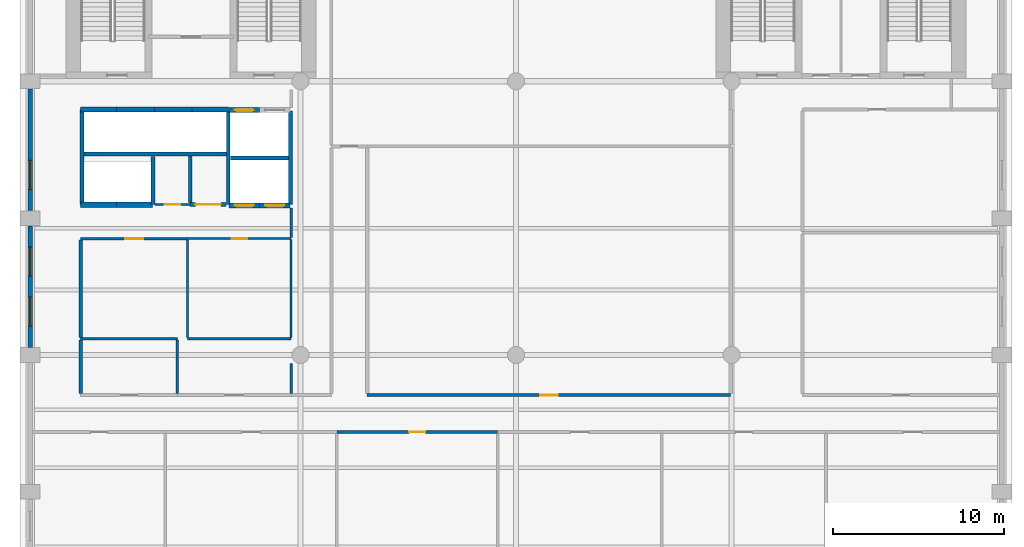
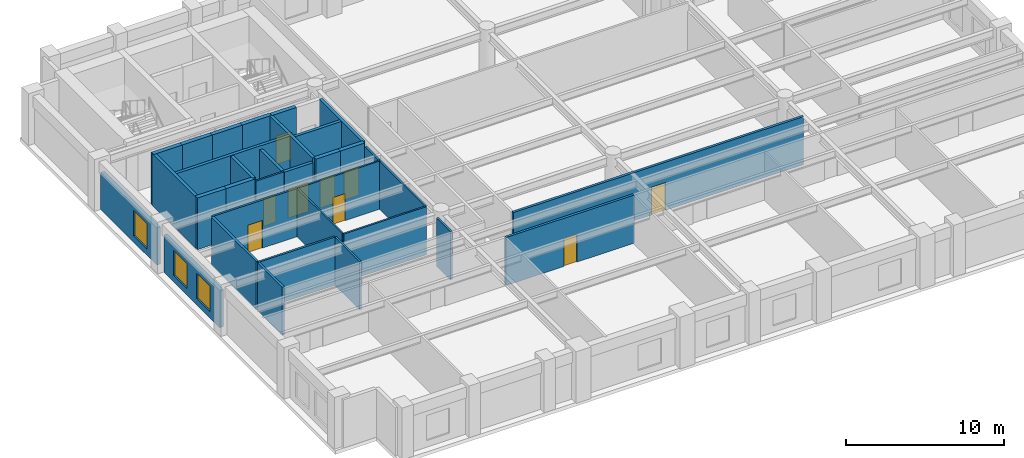
# One storey, part 3 of 8: 33 walls, 9 doors, 3 windows, 12 openings.
"""IFC4 building model written with IfcOpenShell, lengths in metres."""

import ifcopenshell
import ifcopenshell.guid

model = None  # the IFC model being written
_history = None  # IfcOwnerHistory: only IFC2X3 demands one
_inside = {}  # id of a spatial element -> (the spatial element, [elements in it])
_under = {}  # id of a project, library or spatial element -> (it, [spatial elements below it])
_declared = {}  # id of a project -> (the project, [libraries it declares])
_typed = {}  # id of a type object -> (the type object, [elements of that type])
_made_of = {}  # id of a material, layer set ... -> (it, [elements and type objects made of it])


def new_model(schema):
    """Start an empty IFC model of exactly this schema.

    Asked for "IFC4X3", IfcOpenShell would pick the latest addendum, in which some entities
    have other attributes; the version numbers below select the first issue.
    IFC2X3 requires an IfcOwnerHistory on every rooted entity: one is made here for all.
    """
    global model, _history
    if schema == "IFC4X3":
        model = ifcopenshell.file(schema_version=(4, 3, 0, 0))
    else:
        model = ifcopenshell.file(schema=schema)
    _inside.clear()
    _under.clear()
    _declared.clear()
    _typed.clear()
    _made_of.clear()
    _history = None
    if model.schema == "IFC2X3":
        org = make("IfcOrganization", Name="unknown")
        user = make(
            "IfcPersonAndOrganization",
            ThePerson=make("IfcPerson", FamilyName="unknown"),
            TheOrganization=org,
        )
        app = make(
            "IfcApplication",
            ApplicationDeveloper=org,
            Version="unknown",
            ApplicationFullName="unknown",
            ApplicationIdentifier="unknown",
        )
        _history = make(
            "IfcOwnerHistory",
            OwningUser=user,
            OwningApplication=app,
            ChangeAction="ADDED",
            CreationDate=0,
        )
    return model


def make(cls, **values):
    """One entity of the class cls with the attributes given. An attribute that is None is left unset."""
    return model.create_entity(
        cls, **{name: value for name, value in values.items() if value is not None}
    )


def rooted(cls, **values):
    """An entity with a GlobalId (a new one), such as an element, a storey or a relation."""
    return make(cls, GlobalId=ifcopenshell.guid.new(), OwnerHistory=_history, **values)


def si_unit(unit_type, name, prefix=None):
    """IfcSIUnit, for example si_unit("LENGTHUNIT", "METRE", prefix="MILLI")."""
    return make("IfcSIUnit", UnitType=unit_type, Prefix=prefix, Name=name)


def assignment(units):
    """IfcUnitAssignment: the units of a project."""
    return None if units is None else make("IfcUnitAssignment", Units=units)


def point(xyz):
    """IfcCartesianPoint."""
    return None if xyz is None else make("IfcCartesianPoint", Coordinates=xyz)


def direction(xyz):
    """IfcDirection."""
    return None if xyz is None else make("IfcDirection", DirectionRatios=xyz)


def frame(location, z_axis=None, x_axis=None):
    """IfcAxis2Placement3D, a coordinate frame: its origin and axes. An axis left out is left unset."""
    return make(
        "IfcAxis2Placement3D",
        Location=point(location),
        Axis=direction(z_axis),
        RefDirection=direction(x_axis),
    )


def frame_2d(location, x_axis=None):
    """IfcAxis2Placement2D, a coordinate frame in the plane: its origin and x axis."""
    return make(
        "IfcAxis2Placement2D", Location=point(location), RefDirection=direction(x_axis)
    )


def origin():
    """The frame at (0, 0, 0) with its axes left unset."""
    return frame((0.0, 0.0, 0.0))


def place(relative_to, where):
    """IfcLocalPlacement: puts the frame where relative to a parent placement (None: the world)."""
    return make(
        "IfcLocalPlacement", PlacementRelTo=relative_to, RelativePlacement=where
    )


def context(
    kind, dimensions, precision=None, world=None, true_north=None, identifier=None
):
    """IfcGeometricRepresentationContext, for example the 3D "Model" context."""
    return make(
        "IfcGeometricRepresentationContext",
        ContextIdentifier=identifier,
        ContextType=kind,
        CoordinateSpaceDimension=dimensions,
        Precision=precision,
        WorldCoordinateSystem=world,
        TrueNorth=true_north,
    )


def subcontext(parent, identifier, kind, view, scale=None):
    """IfcGeometricRepresentationSubContext, for example "Body" below "Model"."""
    return make(
        "IfcGeometricRepresentationSubContext",
        ContextIdentifier=identifier,
        ContextType=kind,
        ParentContext=parent,
        TargetScale=scale,
        TargetView=view,
    )


def project(units=None, contexts=None):
    """IfcProject with its units and contexts."""
    return rooted(
        "IfcProject",
        Name="project",
        RepresentationContexts=contexts,
        UnitsInContext=assignment(units),
    )


def spatial(cls, under=None, at=None, **own):
    """A site, building, storey or space (cls), placed at a placement, below another one or the project."""
    s = rooted(cls, ObjectPlacement=at, **own)
    if under is not None:
        _under.setdefault(under.id(), (under, []))[1].append(s)
    return s


def profile(cls, at=None, kind="AREA", **sizes):
    """A parametric profile (cls). Its sizes go by their IFC names, for example OverallWidth=200.0."""
    return make(cls, ProfileType=kind, Position=at, **sizes)


def rectangle(**sizes):
    """IfcRectangleProfileDef."""
    return profile("IfcRectangleProfileDef", **sizes)


def extrude(swept, where, along, depth):
    """IfcExtrudedAreaSolid: the profile swept, set in the frame where, extruded along a direction by depth."""
    return make(
        "IfcExtrudedAreaSolid",
        SweptArea=swept,
        Position=where,
        ExtrudedDirection=direction(along),
        Depth=depth,
    )


def shape(context_of_items, identifier, shape_type, items):
    """IfcShapeRepresentation: the items that make up one representation, for example the "Body"."""
    return make(
        "IfcShapeRepresentation",
        ContextOfItems=context_of_items,
        RepresentationIdentifier=identifier,
        RepresentationType=shape_type,
        Items=items,
    )


def material(Name=None, Category=None):
    """IfcMaterial."""
    return make("IfcMaterial", Name=Name, Category=Category)


def layer(
    of_material, thickness, ventilated=None, Name=None, Category=None, Priority=None
):
    """IfcMaterialLayer: one layer of a wall or slab, of a material (None: an air gap)."""
    return make(
        "IfcMaterialLayer",
        Material=of_material,
        LayerThickness=thickness,
        IsVentilated=ventilated,
        Name=Name,
        Category=Category,
        Priority=Priority,
    )


def layer_set(layers, Name=None):
    """IfcMaterialLayerSet."""
    return make("IfcMaterialLayerSet", MaterialLayers=layers, LayerSetName=Name)


def made_of(thing, what):
    """Note that an element or type object is made of a material, layer set ...; save() writes the relation."""
    if what is not None:
        _made_of.setdefault(what.id(), (what, []))[1].append(thing)
    return thing


def type_object(cls, material=None, **own):
    """A type object (cls), such as IfcWallType, which elements share."""
    return made_of(rooted(cls, **own), material)


def element(
    cls,
    number,
    at=None,
    inside=None,
    cuts=None,
    type_object=None,
    material=None,
    context=None,
    identifier="Body",
    shape_type=None,
    held_by="IfcProductDefinitionShape",
    body=None,
    shapes=None,
    **own,
):
    """One element of the class cls, such as IfcWall. Its Tag is "e" and its number.

    at: its placement. inside: the storey or other place that contains it. cuts: it is an
    opening in that element (IfcRelVoidsElement). A single representation is given by context,
    identifier, shape_type and body (its items); several are given by shapes. held_by: the class
    of the entity that holds the representations. save() writes the other relations.
    """
    e = rooted(cls, Tag="e%d" % number, ObjectPlacement=at, **own)
    if body is not None:
        shapes = [shape(context, identifier, shape_type, body)]
    if shapes is not None:
        e.Representation = make(held_by, Representations=shapes)
    if inside is not None:
        _inside.setdefault(inside.id(), (inside, []))[1].append(e)
    if cuts is not None:
        rooted(
            "IfcRelVoidsElement", RelatingBuildingElement=cuts, RelatedOpeningElement=e
        )
    if type_object is not None:
        _typed.setdefault(type_object.id(), (type_object, []))[1].append(e)
    return made_of(e, material)


def fill(opening, filler):
    """IfcRelFillsElement: the door or window that sits in an opening."""
    return rooted(
        "IfcRelFillsElement",
        RelatingOpeningElement=opening,
        RelatedBuildingElement=filler,
    )


def aggregate(whole, parts):
    """IfcRelAggregates: a whole, such as a stair, and the parts it consists of."""
    return rooted("IfcRelAggregates", RelatingObject=whole, RelatedObjects=parts)


def save(model, path):
    """Write the relations noted so far, then the file.

    IfcRelAggregates (storeys below a building ...), IfcRelContainedInSpatialStructure (elements
    in a storey), IfcRelDefinesByType, IfcRelAssociatesMaterial and IfcRelDeclares: one each for
    every whole, place, type object, material and project.
    """
    for whole, parts in _under.values():
        aggregate(whole, parts)
    for where, things in _inside.values():
        rooted(
            "IfcRelContainedInSpatialStructure",
            RelatedElements=things,
            RelatingStructure=where,
        )
    for kind, things in _typed.values():
        rooted("IfcRelDefinesByType", RelatedObjects=things, RelatingType=kind)
    for what, things in _made_of.values():
        rooted("IfcRelAssociatesMaterial", RelatedObjects=things, RelatingMaterial=what)
    for by, libraries in _declared.values():
        rooted("IfcRelDeclares", RelatingContext=by, RelatedDefinitions=libraries)
    model.write(path)


model = new_model("IFC4")

# Units and contexts
model_context = context("Model", 3, precision=1e-05, world=origin(), true_north=direction((0.0, 1.0)))
body_context = subcontext(model_context, "Body", "Model", "MODEL_VIEW")
ifc_project = project(units=[si_unit("LENGTHUNIT", "METRE"), si_unit("AREAUNIT", "SQUARE_METRE"), si_unit("VOLUMEUNIT", "CUBIC_METRE"), si_unit("PLANEANGLEUNIT", "RADIAN"), si_unit("MASSUNIT", "GRAM", prefix="KILO")], contexts=[model_context])

# Site, building, storey
site_placement = place(None, origin())
site = spatial("IfcSite", under=ifc_project, at=site_placement, CompositionType="ELEMENT")
building_placement = place(site_placement, origin())
building = spatial("IfcBuilding", under=site, at=building_placement, Name="Sulina Concourse Tower", CompositionType="ELEMENT")
storey_placement = place(building_placement, frame((0.0, 0.0, 104.60009765625)))
storey = spatial("IfcBuildingStorey", under=building, at=storey_placement, Name="L25", CompositionType="ELEMENT", Elevation=104.60009765625)

# Walls
ifc_material_1 = material(Name="Concrete C50/60", Category="concrete")
ifc_layer_1 = layer(ifc_material_1, 0.219970703125)
ifc_layer_set_1 = layer_set([ifc_layer_1], Name="Concrete C50/60")
wall_type_1 = type_object("IfcWallType", Name="Core Lift Hoistway Divider Wall 220mm", PredefinedType="SOLIDWALL", material=ifc_layer_set_1)
wall_1_placement = place(storey_placement, frame((3.550048828125, 29.75, 0.0), z_axis=(0.0, 0.0, 1.0), x_axis=(1.0, 0.0, 0.0)))
element("IfcWall", 1, at=wall_1_placement, inside=storey, type_object=wall_type_1, Name="L25 shaft divider wall HW-LP3-S", PredefinedType="SOLIDWALL", context=body_context, shape_type="SweptSolid", body=[
    extrude(rectangle(XDim=8.64990234375, YDim=0.219970703125, at=frame_2d((4.324951171875, 0.0))), origin(), (0.0, 0.0, 1.0), 4.0),
])
wall_2_placement = place(storey_placement, frame((3.6298828125, 26.800048828125, 0.0), z_axis=(0.0, 0.0, 1.0), x_axis=(0.0, 1.0, 0.0)))
element("IfcWall", 2, at=wall_2_placement, inside=storey, type_object=wall_type_1, Name="L25 shaft divider wall HW-LP3-W", PredefinedType="SOLIDWALL", context=body_context, shape_type="SweptSolid", body=[
    extrude(rectangle(XDim=5.550048828125, YDim=0.219970703125, at=frame_2d((2.77490234375, 0.0))), origin(), (0.0, 0.0, 1.0), 4.0),
])
wall_3_placement = place(storey_placement, frame((7.780029296875, 26.800048828125, 0.0), z_axis=(0.0, 0.0, 1.0), x_axis=(0.0, 1.0, 0.0)))
element("IfcWall", 3, at=wall_3_placement, inside=storey, type_object=wall_type_1, Name="L25 shaft divider wall HW-EXP-E", PredefinedType="SOLIDWALL", context=body_context, shape_type="SweptSolid", body=[
    extrude(rectangle(XDim=2.800048828125, YDim=0.219970703125, at=frame_2d((1.39990234375, 0.0))), origin(), (0.0, 0.0, 1.0), 4.0),
])
for number, where, z_axis, x_axis, name in (
    (4, (12.179931640625, 26.800048828125, 0.0), (0.0, 0.0, 1.0), (0.0, 1.0, 0.0), "L25 shaft divider wall HW-LP2-W"),
    (5, (15.820068359375, 26.800048828125, 0.0), (0.0, 0.0, 1.0), (0.0, 1.0, 0.0), "L25 shaft divider wall HW-LP2-E"),
):
    element("IfcWall", number, at=place(storey_placement, frame(where, z_axis=z_axis, x_axis=x_axis)), inside=storey, type_object=wall_type_1, Name=name, PredefinedType="SOLIDWALL", context=body_context, shape_type="SweptSolid", body=[
        extrude(rectangle(XDim=5.449951171875, YDim=0.219970703125, at=frame_2d((2.72509765625, 0.0))), origin(), (0.0, 0.0, 1.0), 4.0),
    ])
wall_4_placement = place(storey_placement, frame((12.300048828125, 29.52001953125, 0.0), z_axis=(0.0, 0.0, 1.0), x_axis=(1.0, 0.0, 0.0)))
element("IfcWall", 6, at=wall_4_placement, inside=storey, type_object=wall_type_1, Name="L25 shaft divider wall HW-LP2-M", PredefinedType="SOLIDWALL", context=body_context, shape_type="SweptSolid", body=[
    extrude(rectangle(XDim=3.39990234375, YDim=0.219970703125, at=frame_2d((1.699951171875, 0.0))), origin(), (0.0, 0.0, 1.0), 4.0),
])

# Wall, opening, door
ifc_material_2 = material(Name="Concrete C50/60", Category="concrete")
ifc_layer_2 = layer(ifc_material_2, 0.300048828125)
ifc_layer_set_2 = layer_set([ifc_layer_2], Name="Concrete C50/60")
wall_type_2 = type_object("IfcWallType", Name="Core Lift Hoistway Wall 300mm", PredefinedType="SOLIDWALL", material=ifc_layer_set_2)
wall_5_placement = place(storey_placement, frame((14.0, 26.75, 0.0), z_axis=(0.0, 0.0, 1.0), x_axis=(-1.0, 0.0, 0.0)))
wall_5 = element("IfcWall", 7, at=wall_5_placement, inside=storey, type_object=wall_type_2, Name="L25 hoistway enclosure wall LP-05", PredefinedType="SOLIDWALL", context=body_context, shape_type="SweptSolid", body=[
    extrude(rectangle(XDim=1.780029296875, YDim=0.300048828125, at=frame_2d((0.89013671875, 0.0))), origin(), (0.0, 0.0, 1.0), 4.0),
])
opening_1_placement = place(wall_5_placement, frame((0.340087890625, 0.0, 0.0)))
opening_1 = element("IfcOpeningElement", 8, at=opening_1_placement, cuts=wall_5, Name="Opening LD-01", PredefinedType="OPENING", context=body_context, shape_type="SweptSolid", body=[
    extrude(rectangle(XDim=1.10009765625, YDim=2.199951171875, at=frame_2d((0.550048828125, 1.10009765625))), frame((0.0, 0.159912109375, 0.0), z_axis=(0.0, -1.0, 0.0), x_axis=(1.0, 0.0, 0.0)), (0.0, 0.0, 1.0), 0.320068359375),
])
ifc_material_3 = material(Name="Stainless steel lift landing door", Category="steel")
ifc_layer_3 = layer(ifc_material_3, 0.050048828125)
ifc_layer_set_3 = layer_set([ifc_layer_3], Name="Stainless steel lift landing door")
door_type_1 = type_object("IfcDoorType", Name="Passenger Lift Sliding Landing Door 1100x2200", OperationType="SLIDING_TO_LEFT", PredefinedType="DOOR", material=ifc_layer_set_3)
door_1_placement = place(opening_1_placement, origin())
door_1 = element("IfcDoor", 9, at=door_1_placement, inside=storey, type_object=door_type_1, Name="L25 lift landing sliding door LP-05", OperationType="SLIDING_TO_LEFT", OverallHeight=2.199951171875, OverallWidth=1.10009765625, PredefinedType="DOOR", context=body_context, shape_type="SweptSolid", body=[
    extrude(rectangle(XDim=1.10009765625, YDim=2.199951171875, at=frame_2d((0.550048828125, 1.10009765625))), frame((0.0, 0.02490234375, 0.0), z_axis=(0.0, -1.0, 0.0), x_axis=(1.0, 0.0, 0.0)), (0.0, 0.0, 1.0), 0.050048828125),
])
fill(opening_1, door_1)

wall_6_placement = place(storey_placement, frame((15.780029296875, 26.75, 0.0), z_axis=(0.0, 0.0, 1.0), x_axis=(-1.0, 0.0, 0.0)))
wall_6 = element("IfcWall", 10, at=wall_6_placement, inside=storey, type_object=wall_type_2, Name="L25 hoistway enclosure wall LP-06", PredefinedType="SOLIDWALL", context=body_context, shape_type="SweptSolid", body=[
    extrude(rectangle(XDim=1.780029296875, YDim=0.300048828125, at=frame_2d((0.89013671875, 0.0))), origin(), (0.0, 0.0, 1.0), 4.0),
])
opening_2_placement = place(wall_6_placement, frame((0.340087890625, 0.0, 0.0)))
opening_2 = element("IfcOpeningElement", 11, at=opening_2_placement, cuts=wall_6, Name="Opening LD-01", PredefinedType="OPENING", context=body_context, shape_type="SweptSolid", body=[
    extrude(rectangle(XDim=1.10009765625, YDim=2.199951171875, at=frame_2d((0.550048828125, 1.10009765625))), frame((0.0, 0.159912109375, 0.0), z_axis=(0.0, -1.0, 0.0), x_axis=(1.0, 0.0, 0.0)), (0.0, 0.0, 1.0), 0.320068359375),
])
door_2_placement = place(opening_2_placement, origin())
door_2 = element("IfcDoor", 12, at=door_2_placement, inside=storey, type_object=door_type_1, Name="L25 lift landing sliding door LP-06", OperationType="SLIDING_TO_RIGHT", OverallHeight=2.199951171875, OverallWidth=1.10009765625, PredefinedType="DOOR", context=body_context, shape_type="SweptSolid", body=[
    extrude(rectangle(XDim=1.10009765625, YDim=2.199951171875, at=frame_2d((0.550048828125, 1.10009765625))), frame((0.0, 0.02490234375, 0.0), z_axis=(0.0, -1.0, 0.0), x_axis=(1.0, 0.0, 0.0)), (0.0, 0.0, 1.0), 0.050048828125),
])
fill(opening_2, door_2)

wall_7_placement = place(storey_placement, frame((12.219970703125, 32.320068359375, 0.0), z_axis=(0.0, 0.0, 1.0), x_axis=(1.0, 0.0, 0.0)))
wall_7 = element("IfcWall", 13, at=wall_7_placement, inside=storey, type_object=wall_type_2, Name="L25 hoistway enclosure wall LP-07", PredefinedType="SOLIDWALL", context=body_context, shape_type="SweptSolid", body=[
    extrude(rectangle(XDim=1.780029296875, YDim=0.300048828125, at=frame_2d((0.89013671875, 0.0))), origin(), (0.0, 0.0, 1.0), 4.0),
])
opening_3_placement = place(wall_7_placement, frame((0.340087890625, 0.0, 0.0)))
opening_3 = element("IfcOpeningElement", 14, at=opening_3_placement, cuts=wall_7, Name="Opening LD-01", PredefinedType="OPENING", context=body_context, shape_type="SweptSolid", body=[
    extrude(rectangle(XDim=1.10009765625, YDim=2.199951171875, at=frame_2d((0.550048828125, 1.10009765625))), frame((0.0, 0.159912109375, 0.0), z_axis=(0.0, -1.0, 0.0), x_axis=(1.0, 0.0, 0.0)), (0.0, 0.0, 1.0), 0.320068359375),
])
door_3_placement = place(opening_3_placement, origin())
door_3 = element("IfcDoor", 15, at=door_3_placement, inside=storey, type_object=door_type_1, Name="L25 lift landing sliding door LP-07", OperationType="SLIDING_TO_LEFT", OverallHeight=2.199951171875, OverallWidth=1.10009765625, PredefinedType="DOOR", context=body_context, shape_type="SweptSolid", body=[
    extrude(rectangle(XDim=1.10009765625, YDim=2.199951171875, at=frame_2d((0.550048828125, 1.10009765625))), frame((0.0, 0.02490234375, 0.0), z_axis=(0.0, -1.0, 0.0), x_axis=(1.0, 0.0, 0.0)), (0.0, 0.0, 1.0), 0.050048828125),
])
fill(opening_3, door_3)

# Walls
wall_8_placement = place(storey_placement, frame((3.550048828125, 32.35009765625, 0.0), z_axis=(0.0, 0.0, 1.0), x_axis=(1.0, 0.0, 0.0)))
element("IfcWall", 16, at=wall_8_placement, inside=storey, type_object=wall_type_2, Name="L25 hoistway enclosure wall LP-09", PredefinedType="SOLIDWALL", context=body_context, shape_type="SweptSolid", body=[
    extrude(rectangle(XDim=2.099853515625, YDim=0.300048828125, at=frame_2d((1.0498046875, 0.0))), origin(), (0.0, 0.0, 1.0), 4.0),
])
wall_9_placement = place(storey_placement, frame((5.64990234375, 32.35009765625, 0.0), z_axis=(0.0, 0.0, 1.0), x_axis=(1.0, 0.0, 0.0)))
element("IfcWall", 17, at=wall_9_placement, inside=storey, type_object=wall_type_2, Name="L25 hoistway enclosure wall LP-10", PredefinedType="SOLIDWALL", context=body_context, shape_type="SweptSolid", body=[
    extrude(rectangle(XDim=2.2001953125, YDim=0.300048828125, at=frame_2d((1.10009765625, 0.0))), origin(), (0.0, 0.0, 1.0), 4.0),
])
wall_10_placement = place(storey_placement, frame((7.85009765625, 32.35009765625, 0.0), z_axis=(0.0, 0.0, 1.0), x_axis=(1.0, 0.0, 0.0)))
element("IfcWall", 18, at=wall_10_placement, inside=storey, type_object=wall_type_2, Name="L25 hoistway enclosure wall LP-11", PredefinedType="SOLIDWALL", context=body_context, shape_type="SweptSolid", body=[
    extrude(rectangle(XDim=2.199951171875, YDim=0.300048828125, at=frame_2d((1.10009765625, 0.0))), origin(), (0.0, 0.0, 1.0), 4.0),
])
wall_11_placement = place(storey_placement, frame((10.050048828125, 32.35009765625, 0.0), z_axis=(0.0, 0.0, 1.0), x_axis=(1.0, 0.0, 0.0)))
element("IfcWall", 19, at=wall_11_placement, inside=storey, type_object=wall_type_2, Name="L25 hoistway enclosure wall LP-12", PredefinedType="SOLIDWALL", context=body_context, shape_type="SweptSolid", body=[
    extrude(rectangle(XDim=2.14990234375, YDim=0.300048828125, at=frame_2d((1.074951171875, 0.0))), origin(), (0.0, 0.0, 1.0), 4.0),
])
wall_12_placement = place(storey_placement, frame((5.64990234375, 26.780029296875, 0.0), z_axis=(0.0, 0.0, 1.0), x_axis=(-1.0, 0.0, 0.0)))
element("IfcWall", 20, at=wall_12_placement, inside=storey, type_object=wall_type_2, Name="L25 hoistway enclosure wall EXP-1", PredefinedType="SOLIDWALL", context=body_context, shape_type="SweptSolid", body=[
    extrude(rectangle(XDim=2.099853515625, YDim=0.300048828125, at=frame_2d((1.0498046875, 0.0))), origin(), (0.0, 0.0, 1.0), 4.0),
])
wall_13_placement = place(storey_placement, frame((7.75, 26.780029296875, 0.0), z_axis=(0.0, 0.0, 1.0), x_axis=(-1.0, 0.0, 0.0)))
element("IfcWall", 21, at=wall_13_placement, inside=storey, type_object=wall_type_2, Name="L25 hoistway enclosure wall EXP-2", PredefinedType="SOLIDWALL", context=body_context, shape_type="SweptSolid", body=[
    extrude(rectangle(XDim=2.10009765625, YDim=0.300048828125, at=frame_2d((1.050048828125, 0.0))), origin(), (0.0, 0.0, 1.0), 4.0),
])

# Wall, opening, door
ifc_material_4 = material(Name="Gypsum board on steel stud", Category="steel")
ifc_layer_4 = layer(ifc_material_4, 0.219970703125)
ifc_layer_set_4 = layer_set([ifc_layer_4], Name="Gypsum board on steel stud")
wall_type_3 = type_object("IfcWallType", Name="Fire-Rated Lobby & Compartment Wall 220mm", PredefinedType="PARTITIONING", material=ifc_layer_set_4)
wall_14_placement = place(storey_placement, frame((9.949951171875, 26.800048828125, 0.0), z_axis=(0.0, 0.0, 1.0), x_axis=(1.0, 0.0, 0.0)))
wall_14 = element("IfcWall", 22, at=wall_14_placement, inside=storey, type_object=wall_type_3, Name="L25 interior partition 018", PredefinedType="PARTITIONING", context=body_context, shape_type="SweptSolid", body=[
    extrude(rectangle(XDim=2.10009765625, YDim=0.219970703125, at=frame_2d((1.050048828125, 0.0))), origin(), (0.0, 0.0, 1.0), 3.724853515625),
])
opening_4_placement = place(wall_14_placement, frame((0.300048828125, 0.0, 0.0)))
opening_4 = element("IfcOpeningElement", 23, at=opening_4_placement, cuts=wall_14, Name="Opening DR-80", PredefinedType="OPENING", context=body_context, shape_type="SweptSolid", body=[
    extrude(rectangle(XDim=1.5, YDim=2.25, at=frame_2d((0.75, 1.125))), frame((0.0, 0.119873046875, 0.0), z_axis=(0.0, -1.0, 0.0), x_axis=(1.0, 0.0, 0.0)), (0.0, 0.0, 1.0), 0.239990234375),
])
ifc_material_5 = material(Name="Galvanised steel acoustic fire leaf", Category="steel")
ifc_layer_5 = layer(ifc_material_5, 0.054931640625)
ifc_layer_set_5 = layer_set([ifc_layer_5], Name="Galvanised steel acoustic fire leaf")
door_type_2 = type_object("IfcDoorType", Name="Mechanical Plant Double Fire Door 1500x2250", OperationType="DOUBLE_DOOR_SINGLE_SWING", PredefinedType="DOOR", material=ifc_layer_set_5)
door_4_placement = place(opening_4_placement, origin())
door_4 = element("IfcDoor", 24, at=door_4_placement, inside=storey, type_object=door_type_2, Name="L25 interior door L25-IT-IDF", OperationType="DOUBLE_DOOR_SINGLE_SWING", OverallHeight=2.25, OverallWidth=1.5, PredefinedType="DOOR", context=body_context, shape_type="SweptSolid", body=[
    extrude(rectangle(XDim=1.5, YDim=2.25, at=frame_2d((0.75, 1.125))), frame((0.0, 0.02490234375, 0.0), z_axis=(0.0, -1.0, 0.0), x_axis=(1.0, 0.0, 0.0)), (0.0, 0.0, 1.0), 0.050048828125),
])
fill(opening_4, door_4)

# Walls
wall_15_placement = place(storey_placement, frame((9.949951171875, 26.909912109375, 0.0), z_axis=(0.0, 0.0, 1.0), x_axis=(0.0, 1.0, 0.0)))
element("IfcWall", 25, at=wall_15_placement, inside=storey, type_object=wall_type_3, Name="L25 interior partition 031", PredefinedType="PARTITIONING", context=body_context, shape_type="SweptSolid", body=[
    extrude(rectangle(XDim=2.72998046875, YDim=0.219970703125, at=frame_2d((1.364990234375, 0.0))), origin(), (0.0, 0.0, 1.0), 3.724853515625),
])
ifc_material_6 = material(Name="Gypsum board on steel stud", Category="steel")
ifc_layer_6 = layer(ifc_material_6, 0.14990234375)
ifc_layer_set_6 = layer_set([ifc_layer_6], Name="Gypsum board on steel stud")
wall_type_4 = type_object("IfcWallType", Name="Inter-Tenancy Acoustic Partition 150mm", PredefinedType="PARTITIONING", material=ifc_layer_set_6)
wall_16_placement = place(storey_placement, frame((3.550048828125, 18.949951171875, 0.0), z_axis=(0.0, 0.0, 1.0), x_axis=(1.0, 0.0, 0.0)))
element("IfcWall", 26, at=wall_16_placement, inside=storey, type_object=wall_type_4, Name="L25 interior partition 012", PredefinedType="PARTITIONING", context=body_context, shape_type="SweptSolid", body=[
    extrude(rectangle(XDim=5.64990234375, YDim=0.14990234375, at=frame_2d((2.824951171875, 0.0))), origin(), (0.0, 0.0, 1.0), 3.724853515625),
])

# Wall, opening, door
wall_17_placement = place(storey_placement, frame((3.550048828125, 24.800048828125, 0.0), z_axis=(0.0, 0.0, 1.0), x_axis=(1.0, 0.0, 0.0)))
wall_17 = element("IfcWall", 27, at=wall_17_placement, inside=storey, type_object=wall_type_4, Name="L25 interior partition 014", PredefinedType="PARTITIONING", context=body_context, shape_type="SweptSolid", body=[
    extrude(rectangle(XDim=6.25, YDim=0.14990234375, at=frame_2d((3.125, 0.0))), origin(), (0.0, 0.0, 1.0), 3.724853515625),
])
opening_5_placement = place(wall_17_placement, frame((2.60009765625, 0.0, 0.0)))
opening_5 = element("IfcOpeningElement", 28, at=opening_5_placement, cuts=wall_17, Name="Opening DR-37", PredefinedType="OPENING", context=body_context, shape_type="SweptSolid", body=[
    extrude(rectangle(XDim=1.050048828125, YDim=2.14990234375, at=frame_2d((0.52490234375, 1.074951171875))), frame((0.0, 0.0849609375, 0.0), z_axis=(0.0, -1.0, 0.0), x_axis=(1.0, 0.0, 0.0)), (0.0, 0.0, 1.0), 0.169921875),
])
ifc_material_7 = material(Name="Oak-veneered fire door leaf")
ifc_layer_7 = layer(ifc_material_7, 0.050048828125)
ifc_layer_set_7 = layer_set([ifc_layer_7], Name="Oak-veneered fire door leaf")
door_type_3 = type_object("IfcDoorType", Name="Tenant Suite Entrance Fire Door 1050x2150", OperationType="NOTDEFINED", PredefinedType="DOOR", material=ifc_layer_set_7)
door_5_placement = place(opening_5_placement, origin())
door_5 = element("IfcDoor", 29, at=door_5_placement, inside=storey, type_object=door_type_3, Name="L25 interior door L25-LR-MRG1", OperationType="SINGLE_SWING_LEFT", OverallHeight=2.14990234375, OverallWidth=1.050048828125, PredefinedType="DOOR", context=body_context, shape_type="SweptSolid", body=[
    extrude(rectangle(XDim=1.050048828125, YDim=2.14990234375, at=frame_2d((0.52490234375, 1.074951171875))), frame((0.0, 0.02490234375, 0.0), z_axis=(0.0, -1.0, 0.0), x_axis=(1.0, 0.0, 0.0)), (0.0, 0.0, 1.0), 0.050048828125),
])
fill(opening_5, door_5)

# Walls
wall_18_placement = place(storey_placement, frame((9.199951171875, 15.739990234375, 0.0), z_axis=(0.0, 0.0, 1.0), x_axis=(0.0, 1.0, 0.0)))
element("IfcWall", 30, at=wall_18_placement, inside=storey, type_object=wall_type_4, Name="L25 interior partition 029", PredefinedType="PARTITIONING", context=body_context, shape_type="SweptSolid", body=[
    extrude(rectangle(XDim=3.135009765625, YDim=0.14990234375, at=frame_2d((1.5673828125, 0.0))), origin(), (0.0, 0.0, 1.0), 3.724853515625),
])
wall_19_placement = place(storey_placement, frame((15.85009765625, 15.739990234375, 0.0), z_axis=(0.0, 0.0, 1.0), x_axis=(0.0, 1.0, 0.0)))
element("IfcWall", 31, at=wall_19_placement, inside=storey, type_object=wall_type_4, Name="L25 interior partition 032", PredefinedType="PARTITIONING", context=body_context, shape_type="SweptSolid", body=[
    extrude(rectangle(XDim=1.760009765625, YDim=0.14990234375, at=frame_2d((0.8798828125, 0.0))), origin(), (0.0, 0.0, 1.0), 3.724853515625),
])
wall_20_placement = place(storey_placement, frame((15.85009765625, 24.862548828125, 0.0), z_axis=(0.0, 0.0, 1.0), x_axis=(0.0, 1.0, 0.0)))
element("IfcWall", 32, at=wall_20_placement, inside=storey, type_object=wall_type_4, Name="L25 interior partition 034", PredefinedType="PARTITIONING", context=body_context, shape_type="SweptSolid", body=[
    extrude(rectangle(XDim=1.737548828125, YDim=0.14990234375, at=frame_2d((0.86865234375, 0.0))), origin(), (0.0, 0.0, 1.0), 3.724853515625),
])

# Wall, opening, door
ifc_material_8 = material(Name="Gypsum board on steel stud", Category="steel")
ifc_layer_8 = layer(ifc_material_8, 0.179931640625)
ifc_layer_set_8 = layer_set([ifc_layer_8], Name="Gypsum board on steel stud")
wall_type_5 = type_object("IfcWallType", Name="Protected Corridor & Riser Partition 180mm", PredefinedType="PARTITIONING", material=ifc_layer_set_8)
wall_21_placement = place(storey_placement, frame((18.52001953125, 13.5, 0.0), z_axis=(0.0, 0.0, 1.0), x_axis=(1.0, 0.0, 0.0)))
wall_21 = element("IfcWall", 33, at=wall_21_placement, inside=storey, type_object=wall_type_5, Name="L25 interior partition 003", PredefinedType="PARTITIONING", context=body_context, shape_type="SweptSolid", body=[
    extrude(rectangle(XDim=9.39990234375, YDim=0.179931640625, at=frame_2d((4.699951171875, 0.0))), origin(), (0.0, 0.0, 1.0), 3.724853515625),
])
opening_6_placement = place(wall_21_placement, frame((4.22509765625, 0.0, 0.0)))
opening_6 = element("IfcOpeningElement", 34, at=opening_6_placement, cuts=wall_21, Name="Opening DR-19", PredefinedType="OPENING", context=body_context, shape_type="SweptSolid", body=[
    extrude(rectangle(XDim=0.949951171875, YDim=2.14990234375, at=frame_2d((0.47509765625, 1.074951171875))), frame((0.0, 0.099853515625, 0.0), z_axis=(0.0, -1.0, 0.0), x_axis=(1.0, 0.0, 0.0)), (0.0, 0.0, 1.0), 0.199951171875),
])
ifc_material_9 = material(Name="Oak-veneered acoustic timber leaf", Category="wood")
ifc_layer_9 = layer(ifc_material_9, 0.050048828125)
ifc_layer_set_9 = layer_set([ifc_layer_9], Name="Oak-veneered acoustic timber leaf")
door_type_4 = type_object("IfcDoorType", Name="Cellular Office & Meeting Door 950x2150", OperationType="NOTDEFINED", PredefinedType="DOOR", material=ifc_layer_set_9)
door_6_placement = place(opening_6_placement, origin())
door_6 = element("IfcDoor", 35, at=door_6_placement, inside=storey, type_object=door_type_4, Name="L25 interior door L25-S03", OperationType="SINGLE_SWING_LEFT", OverallHeight=2.14990234375, OverallWidth=0.949951171875, PredefinedType="DOOR", context=body_context, shape_type="SweptSolid", body=[
    extrude(rectangle(XDim=0.949951171875, YDim=2.14990234375, at=frame_2d((0.47509765625, 1.074951171875))), frame((0.0, 0.02490234375, 0.0), z_axis=(0.0, -1.0, 0.0), x_axis=(1.0, 0.0, 0.0)), (0.0, 0.0, 1.0), 0.050048828125),
])
fill(opening_6, door_6)

wall_22_placement = place(storey_placement, frame((20.300048828125, 15.64990234375, 0.0), z_axis=(0.0, 0.0, 1.0), x_axis=(1.0, 0.0, 0.0)))
wall_22 = element("IfcWall", 36, at=wall_22_placement, inside=storey, type_object=wall_type_5, Name="L25 interior partition 010", PredefinedType="PARTITIONING", context=body_context, shape_type="SweptSolid", body=[
    extrude(rectangle(XDim=21.25, YDim=0.179931640625, at=frame_2d((10.625, 0.0))), origin(), (0.0, 0.0, 1.0), 3.724853515625),
])
opening_7_placement = place(wall_22_placement, frame((10.10009765625, 0.0, 0.0)))
opening_7 = element("IfcOpeningElement", 37, at=opening_7_placement, cuts=wall_22, Name="Opening DR-37", PredefinedType="OPENING", context=body_context, shape_type="SweptSolid", body=[
    extrude(rectangle(XDim=1.050048828125, YDim=2.14990234375, at=frame_2d((0.52490234375, 1.074951171875))), frame((0.0, 0.099853515625, 0.0), z_axis=(0.0, -1.0, 0.0), x_axis=(1.0, 0.0, 0.0)), (0.0, 0.0, 1.0), 0.199951171875),
])
door_7_placement = place(opening_7_placement, origin())
door_7 = element("IfcDoor", 38, at=door_7_placement, inside=storey, type_object=door_type_3, Name="L25 interior door L25-NC3", OperationType="SINGLE_SWING_LEFT", OverallHeight=2.14990234375, OverallWidth=1.050048828125, PredefinedType="DOOR", context=body_context, shape_type="SweptSolid", body=[
    extrude(rectangle(XDim=1.050048828125, YDim=2.14990234375, at=frame_2d((0.52490234375, 1.074951171875))), frame((0.0, 0.02490234375, 0.0), z_axis=(0.0, -1.0, 0.0), x_axis=(1.0, 0.0, 0.0)), (0.0, 0.0, 1.0), 0.050048828125),
])
fill(opening_7, door_7)

# Walls
wall_23_placement = place(storey_placement, frame((3.550048828125, 15.739990234375, 0.0), z_axis=(0.0, 0.0, 1.0), x_axis=(0.0, 1.0, 0.0)))
element("IfcWall", 39, at=wall_23_placement, inside=storey, type_object=wall_type_5, Name="L25 interior partition 026", PredefinedType="PARTITIONING", context=body_context, shape_type="SweptSolid", body=[
    extrude(rectangle(XDim=3.135009765625, YDim=0.179931640625, at=frame_2d((1.5673828125, 0.0))), origin(), (0.0, 0.0, 1.0), 3.724853515625),
])
wall_24_placement = place(storey_placement, frame((3.550048828125, 19.02490234375, 0.0), z_axis=(0.0, 0.0, 1.0), x_axis=(0.0, 1.0, 0.0)))
element("IfcWall", 40, at=wall_24_placement, inside=storey, type_object=wall_type_5, Name="L25 interior partition 027", PredefinedType="PARTITIONING", context=body_context, shape_type="SweptSolid", body=[
    extrude(rectangle(XDim=5.7001953125, YDim=0.179931640625, at=frame_2d((2.85009765625, 0.0))), origin(), (0.0, 0.0, 1.0), 3.724853515625),
])

# Wall, openings, windows
ifc_material_10 = material(Name="Precast concrete C50/60", Category="concrete")
ifc_layer_10 = layer(ifc_material_10, 0.280029296875)
ifc_layer_set_10 = layer_set([ifc_layer_10], Name="Precast concrete C50/60")
wall_type_6 = type_object("IfcWallType", Name="Typical Precast Masonry-Frame Facade Wall 280mm", PredefinedType="SOLIDWALL", material=ifc_layer_set_10)
wall_25_placement = place(storey_placement, frame((0.60009765625, 18.445068359375, 0.0), z_axis=(0.0, 0.0, 1.0), x_axis=(0.0, 1.0, 0.0)))
wall_25 = element("IfcWall", 41, at=wall_25_placement, inside=storey, type_object=wall_type_6, Name="L25 exterior precast wall W3", PredefinedType="SOLIDWALL", context=body_context, shape_type="SweptSolid", body=[
    extrude(rectangle(XDim=7.10986328125, YDim=0.280029296875, at=frame_2d((3.554931640625, 0.0))), origin(), (0.0, 0.0, 1.0), 2.875),
])
opening_8_placement = place(wall_25_placement, frame((1.23681640625, 0.0, 0.5)))
opening_8 = element("IfcOpeningElement", 42, at=opening_8_placement, cuts=wall_25, Name="Opening WN-66", PredefinedType="OPENING", context=body_context, shape_type="SweptSolid", body=[
    extrude(rectangle(XDim=1.699951171875, YDim=1.949951171875, at=frame_2d((0.85009765625, 0.97509765625))), frame((0.0, 0.14990234375, 0.0), z_axis=(0.0, -1.0, 0.0), x_axis=(1.0, 0.0, 0.0)), (0.0, 0.0, 1.0), 0.300048828125),
])
opening_9_placement = place(wall_25_placement, frame((4.17333984375, 0.0, 0.5)))
opening_9 = element("IfcOpeningElement", 43, at=opening_9_placement, cuts=wall_25, Name="Opening WN-66", PredefinedType="OPENING", context=body_context, shape_type="SweptSolid", body=[
    extrude(rectangle(XDim=1.699951171875, YDim=1.949951171875, at=frame_2d((0.85009765625, 0.97509765625))), frame((0.0, 0.14990234375, 0.0), z_axis=(0.0, -1.0, 0.0), x_axis=(1.0, 0.0, 0.0)), (0.0, 0.0, 1.0), 0.300048828125),
])
ifc_material_11 = material(Name="Low-E solar double glazing in bronze aluminium", Category="aluminium")
window_type = type_object("IfcWindowType", Name="Recessed Spandrel Window 1700x1950", PartitioningType="SINGLE_PANEL", PredefinedType="WINDOW", material=ifc_material_11)
window_1_placement = place(opening_8_placement, origin())
window_1 = element("IfcWindow", 44, at=window_1_placement, inside=storey, type_object=window_type, Name="L25 punched window W3-1", OverallHeight=1.949951171875, OverallWidth=1.699951171875, PartitioningType="SINGLE_PANEL", PredefinedType="WINDOW", context=body_context, shape_type="SweptSolid", body=[
    extrude(rectangle(XDim=1.699951171875, YDim=1.949951171875, at=frame_2d((0.85009765625, 0.97509765625))), frame((0.0, 0.030029296875, 0.0), z_axis=(0.0, -1.0, 0.0), x_axis=(1.0, 0.0, 0.0)), (0.0, 0.0, 1.0), 0.06005859375),
])
fill(opening_8, window_1)
window_2_placement = place(opening_9_placement, origin())
window_2 = element("IfcWindow", 45, at=window_2_placement, inside=storey, type_object=window_type, Name="L25 punched window W3-2", OverallHeight=1.949951171875, OverallWidth=1.699951171875, PartitioningType="SINGLE_PANEL", PredefinedType="WINDOW", context=body_context, shape_type="SweptSolid", body=[
    extrude(rectangle(XDim=1.699951171875, YDim=1.949951171875, at=frame_2d((0.85009765625, 0.97509765625))), frame((0.0, 0.030029296875, 0.0), z_axis=(0.0, -1.0, 0.0), x_axis=(1.0, 0.0, 0.0)), (0.0, 0.0, 1.0), 0.06005859375),
])
fill(opening_9, window_2)

# Wall, opening, window
wall_26_placement = place(storey_placement, frame((0.60009765625, 26.445068359375, 0.0), z_axis=(0.0, 0.0, 1.0), x_axis=(0.0, 1.0, 0.0)))
wall_26 = element("IfcWall", 46, at=wall_26_placement, inside=storey, type_object=wall_type_6, Name="L25 exterior precast wall W4", PredefinedType="SOLIDWALL", context=body_context, shape_type="SweptSolid", body=[
    extrude(rectangle(XDim=7.10986328125, YDim=0.280029296875, at=frame_2d((3.554931640625, 0.0))), origin(), (0.0, 0.0, 1.0), 2.875),
])
opening_10_placement = place(wall_26_placement, frame((1.23681640625, 0.0, 0.5)))
opening_10 = element("IfcOpeningElement", 47, at=opening_10_placement, cuts=wall_26, Name="Opening WN-66", PredefinedType="OPENING", context=body_context, shape_type="SweptSolid", body=[
    extrude(rectangle(XDim=1.699951171875, YDim=1.949951171875, at=frame_2d((0.85009765625, 0.97509765625))), frame((0.0, 0.14990234375, 0.0), z_axis=(0.0, -1.0, 0.0), x_axis=(1.0, 0.0, 0.0)), (0.0, 0.0, 1.0), 0.300048828125),
])
window_3_placement = place(opening_10_placement, origin())
window_3 = element("IfcWindow", 48, at=window_3_placement, inside=storey, type_object=window_type, Name="L25 punched window W4-1", OverallHeight=1.949951171875, OverallWidth=1.699951171875, PartitioningType="SINGLE_PANEL", PredefinedType="WINDOW", context=body_context, shape_type="SweptSolid", body=[
    extrude(rectangle(XDim=1.699951171875, YDim=1.949951171875, at=frame_2d((0.85009765625, 0.97509765625))), frame((0.0, 0.030029296875, 0.0), z_axis=(0.0, -1.0, 0.0), x_axis=(1.0, 0.0, 0.0)), (0.0, 0.0, 1.0), 0.06005859375),
])
fill(opening_10, window_3)

# Wall
ifc_material_12 = material(Name="Gypsum board on steel stud", Category="steel")
ifc_layer_11 = layer(ifc_material_12, 0.125)
ifc_layer_set_11 = layer_set([ifc_layer_11], Name="Gypsum board on steel stud")
wall_type_7 = type_object("IfcWallType", Name="Wet-Area Moisture-Resistant Partition 125mm", PredefinedType="PARTITIONING", material=ifc_layer_set_11)
wall_27_placement = place(storey_placement, frame((9.800048828125, 18.949951171875, 0.0), z_axis=(0.0, 0.0, 1.0), x_axis=(1.0, 0.0, 0.0)))
element("IfcWall", 49, at=wall_27_placement, inside=storey, type_object=wall_type_7, Name="L25 interior partition 013", PredefinedType="PARTITIONING", context=body_context, shape_type="SweptSolid", body=[
    extrude(rectangle(XDim=6.050048828125, YDim=0.125, at=frame_2d((3.02490234375, 0.0))), origin(), (0.0, 0.0, 1.0), 3.724853515625),
])

# Wall, opening, door
wall_28_placement = place(storey_placement, frame((9.800048828125, 24.800048828125, 0.0), z_axis=(0.0, 0.0, 1.0), x_axis=(1.0, 0.0, 0.0)))
wall_28 = element("IfcWall", 50, at=wall_28_placement, inside=storey, type_object=wall_type_7, Name="L25 interior partition 015", PredefinedType="PARTITIONING", context=body_context, shape_type="SweptSolid", body=[
    extrude(rectangle(XDim=6.050048828125, YDim=0.125, at=frame_2d((3.02490234375, 0.0))), origin(), (0.0, 0.0, 1.0), 3.724853515625),
])
opening_11_placement = place(wall_28_placement, frame((2.574951171875, 0.0, 0.0)))
opening_11 = element("IfcOpeningElement", 51, at=opening_11_placement, cuts=wall_28, Name="Opening DR-21", PredefinedType="OPENING", context=body_context, shape_type="SweptSolid", body=[
    extrude(rectangle(XDim=0.89990234375, YDim=2.10009765625, at=frame_2d((0.449951171875, 1.050048828125))), frame((0.0, 0.072509765625, 0.0), z_axis=(0.0, -1.0, 0.0), x_axis=(1.0, 0.0, 0.0)), (0.0, 0.0, 1.0), 0.14501953125),
])
ifc_material_13 = material(Name="Oak-veneered fire door leaf")
ifc_layer_12 = layer(ifc_material_13, 0.050048828125)
ifc_layer_set_12 = layer_set([ifc_layer_12], Name="Oak-veneered fire door leaf")
door_type_5 = type_object("IfcDoorType", Name="Restroom & Service Door 900x2100", OperationType="NOTDEFINED", PredefinedType="DOOR", material=ifc_layer_set_12)
door_8_placement = place(opening_11_placement, origin())
door_8 = element("IfcDoor", 52, at=door_8_placement, inside=storey, type_object=door_type_5, Name="L25 interior door L25-LR-MRG2", OperationType="SINGLE_SWING_RIGHT", OverallHeight=2.10009765625, OverallWidth=0.89990234375, PredefinedType="DOOR", context=body_context, shape_type="SweptSolid", body=[
    extrude(rectangle(XDim=0.89990234375, YDim=2.10009765625, at=frame_2d((0.449951171875, 1.050048828125))), frame((0.0, 0.02490234375, 0.0), z_axis=(0.0, -1.0, 0.0), x_axis=(1.0, 0.0, 0.0)), (0.0, 0.0, 1.0), 0.050048828125),
])
fill(opening_11, door_8)

wall_29_placement = place(storey_placement, frame((7.889892578125, 26.800048828125, 0.0), z_axis=(0.0, 0.0, 1.0), x_axis=(1.0, 0.0, 0.0)))
wall_29 = element("IfcWall", 53, at=wall_29_placement, inside=storey, type_object=wall_type_7, Name="L25 interior partition 017", PredefinedType="PARTITIONING", context=body_context, shape_type="SweptSolid", body=[
    extrude(rectangle(XDim=2.06005859375, YDim=0.125, at=frame_2d((1.030029296875, 0.0))), origin(), (0.0, 0.0, 1.0), 3.724853515625),
])
opening_12_placement = place(wall_29_placement, frame((0.570068359375, 0.0, 0.0)))
opening_12 = element("IfcOpeningElement", 54, at=opening_12_placement, cuts=wall_29, Name="Opening DR-61", PredefinedType="OPENING", context=body_context, shape_type="SweptSolid", body=[
    extrude(rectangle(XDim=0.919921875, YDim=2.10009765625, at=frame_2d((0.4599609375, 1.050048828125))), frame((0.0, 0.072509765625, 0.0), z_axis=(0.0, -1.0, 0.0), x_axis=(1.0, 0.0, 0.0)), (0.0, 0.0, 1.0), 0.14501953125),
])
ifc_material_14 = material(Name="Oak-veneered fire door leaf")
ifc_layer_13 = layer(ifc_material_14, 0.050048828125)
ifc_layer_set_13 = layer_set([ifc_layer_13], Name="Oak-veneered fire door leaf")
door_type_6 = type_object("IfcDoorType", Name="Accessible WC Door 920x2100", OperationType="NOTDEFINED", PredefinedType="DOOR", material=ifc_layer_set_13)
door_9_placement = place(opening_12_placement, origin())
door_9 = element("IfcDoor", 55, at=door_9_placement, inside=storey, type_object=door_type_6, Name="L25 interior door L25-WC-ACC", OperationType="SINGLE_SWING_LEFT", OverallHeight=2.10009765625, OverallWidth=0.919921875, PredefinedType="DOOR", context=body_context, shape_type="SweptSolid", body=[
    extrude(rectangle(XDim=0.919921875, YDim=2.10009765625, at=frame_2d((0.4599609375, 1.050048828125))), frame((0.0, 0.02490234375, 0.0), z_axis=(0.0, -1.0, 0.0), x_axis=(1.0, 0.0, 0.0)), (0.0, 0.0, 1.0), 0.050048828125),
])
fill(opening_12, door_9)

# Walls
wall_30_placement = place(storey_placement, frame((9.800048828125, 19.012451171875, 0.0), z_axis=(0.0, 0.0, 1.0), x_axis=(0.0, 1.0, 0.0)))
element("IfcWall", 56, at=wall_30_placement, inside=storey, type_object=wall_type_7, Name="L25 interior partition 030", PredefinedType="PARTITIONING", context=body_context, shape_type="SweptSolid", body=[
    extrude(rectangle(XDim=5.712646484375, YDim=0.125, at=frame_2d((2.8564453125, 0.0))), origin(), (0.0, 0.0, 1.0), 3.724853515625),
])
wall_31_placement = place(storey_placement, frame((15.85009765625, 19.012451171875, 0.0), z_axis=(0.0, 0.0, 1.0), x_axis=(0.0, 1.0, 0.0)))
element("IfcWall", 57, at=wall_31_placement, inside=storey, type_object=wall_type_7, Name="L25 interior partition 033", PredefinedType="PARTITIONING", context=body_context, shape_type="SweptSolid", body=[
    extrude(rectangle(XDim=5.72509765625, YDim=0.125, at=frame_2d((2.862548828125, 0.0))), origin(), (0.0, 0.0, 1.0), 3.724853515625),
])

save(model, "model.ifc")
